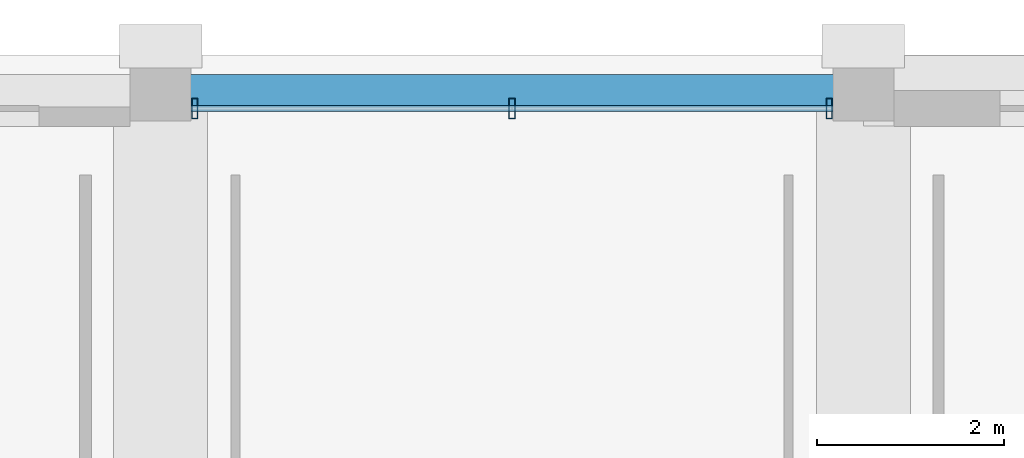
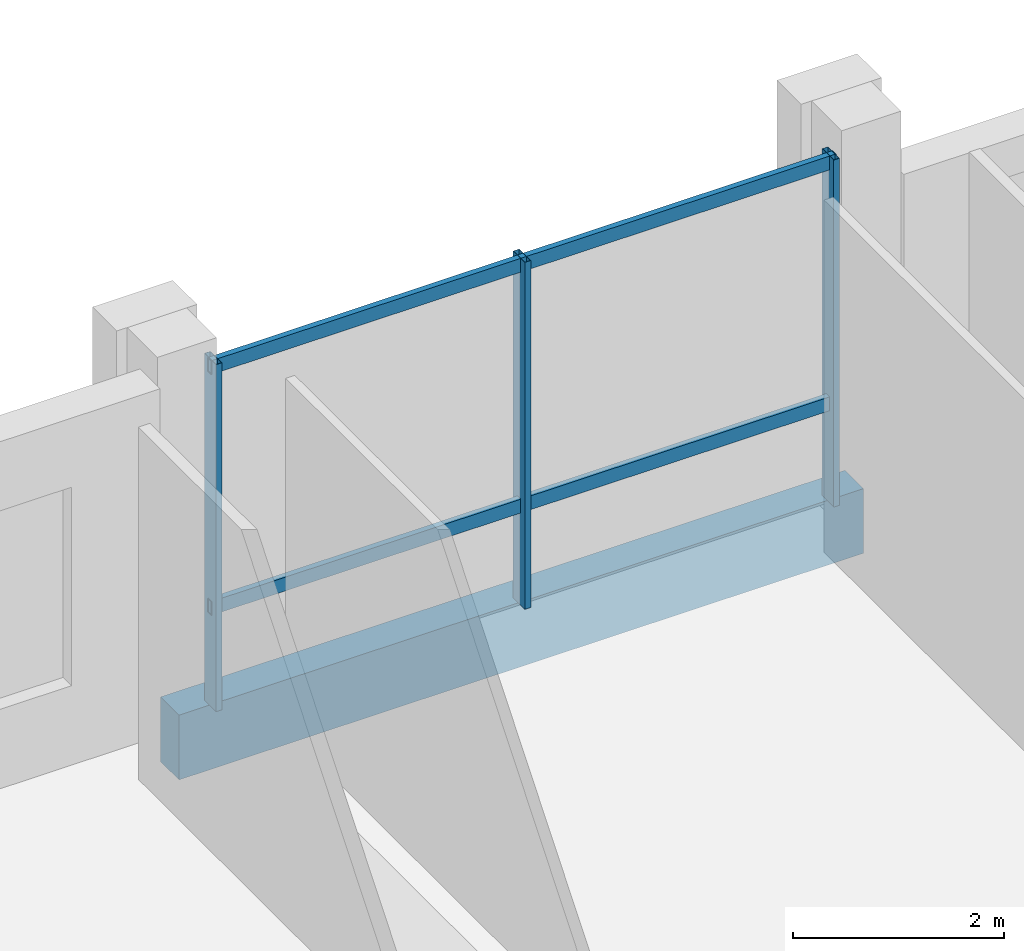
# One storey, part 28 of 64: 5 members, 1 beam, 1 element without a shape of its own.
"""IFC4 building model written with IfcOpenShell, lengths in metres."""

from ifc_helpers import new_model, si_unit, direction, frame, origin, origin_2d, place, context, subcontext, project, spatial, rectangle, hollow_rectangle, extrude, material, material_profile, profile_set, type_object, element, aggregate, save


model = new_model("IFC4")

# Units and contexts
model_context = context("Model", 3, precision=1e-05, world=origin(), true_north=direction((0.0, 1.0)))
body_context = subcontext(model_context, "Body", "Model", "MODEL_VIEW")
ifc_project = project(units=[si_unit("LENGTHUNIT", "METRE"), si_unit("AREAUNIT", "SQUARE_METRE"), si_unit("VOLUMEUNIT", "CUBIC_METRE"), si_unit("PLANEANGLEUNIT", "RADIAN"), si_unit("MASSUNIT", "GRAM", prefix="KILO")], contexts=[model_context])

# Site, building, storey
site_placement = place(None, origin())
site = spatial("IfcSite", under=ifc_project, at=site_placement, CompositionType="ELEMENT")
building_placement = place(site_placement, origin())
building = spatial("IfcBuilding", under=site, at=building_placement, Name="Akrevak Sports Hall", CompositionType="ELEMENT")
storey_placement = place(building_placement, frame((0.0, 0.0, 4.60009765625)))
storey = spatial("IfcBuildingStorey", under=building, at=storey_placement, Name="L01", CompositionType="ELEMENT", Elevation=4.60009765625)

# Curtain wall, members
ifc_material_1 = material(Name="Anodized Bronze Aluminium & Low-E Glass", Category="aluminium")
curtain_wall_type = type_object("IfcCurtainWallType", Name="ARC-CW-POD-70x42", PredefinedType="NOTDEFINED", material=ifc_material_1)
curtain_wall_placement = place(storey_placement, origin())
curtain_wall = element("IfcCurtainWall", 1, at=curtain_wall_placement, inside=storey, type_object=curtain_wall_type, Name="Curtain Wall CW-L01-N06", PredefinedType="NOTDEFINED")
ifc_material_2 = material(Name="Anodized Bronze Aluminium", Category="aluminium")
ifc_material_profile_1 = material_profile(ifc_material_2, hollow_rectangle(XDim=0.06494140625, YDim=0.219970703125, WallThickness=0.00439453125, at=origin_2d()), Name="CWM 65x220", Category="aluminium")
ifc_profile_set_1 = profile_set([ifc_material_profile_1], Name="Anodized Bronze Aluminium")
member_type_1 = type_object("IfcMemberType", Name="ARC-CWM-70x160", PredefinedType="MULLION", material=ifc_profile_set_1)
member_1_placement = place(storey_placement, frame((44.635009765625, 113.81005859375, 0.0), z_axis=(0.0, 0.0, 1.0), x_axis=(-1.0, 0.0, 0.0)))
member_1 = element("IfcMember", 2, at=member_1_placement, type_object=member_type_1, Name="Curtain Wall Mullion CW-L01-N06-M1", PredefinedType="MULLION", context=body_context, shape_type="SweptSolid", body=[
    extrude(hollow_rectangle(XDim=0.06494140625, YDim=0.219970703125, WallThickness=0.00439453125, at=origin_2d()), origin(), (0.0, 0.0, 1.0), 4.02001953125),
])
member_2_placement = place(storey_placement, frame((41.25, 113.81005859375, 0.0), z_axis=(0.0, 0.0, 1.0), x_axis=(-1.0, 0.0, 0.0)))
member_2 = element("IfcMember", 3, at=member_2_placement, type_object=member_type_1, Name="Curtain Wall Mullion CW-L01-N06-M2", PredefinedType="MULLION", context=body_context, shape_type="SweptSolid", body=[
    extrude(hollow_rectangle(XDim=0.06494140625, YDim=0.219970703125, WallThickness=0.00439453125, at=origin_2d()), origin(), (0.0, 0.0, 1.0), 4.02001953125),
])
member_3_placement = place(storey_placement, frame((37.864990234375, 113.81005859375, 0.0), z_axis=(0.0, 0.0, 1.0), x_axis=(-1.0, 0.0, 0.0)))
member_3 = element("IfcMember", 4, at=member_3_placement, type_object=member_type_1, Name="Curtain Wall Mullion CW-L01-N06-M3", PredefinedType="MULLION", context=body_context, shape_type="SweptSolid", body=[
    extrude(hollow_rectangle(XDim=0.06494140625, YDim=0.219970703125, WallThickness=0.00439453125, at=origin_2d()), origin(), (0.0, 0.0, 1.0), 4.02001953125),
])
ifc_material_profile_2 = material_profile(ifc_material_2, hollow_rectangle(XDim=0.06494140625, YDim=0.159912109375, WallThickness=0.00390625, at=origin_2d()), Name="CWT 65x160", Category="aluminium")
ifc_profile_set_2 = profile_set([ifc_material_profile_2], Name="Anodized Bronze Aluminium")
member_type_2 = type_object("IfcMemberType", Name="ARC-CWT-70x130", PredefinedType="USERDEFINED", material=ifc_profile_set_2)
member_4_placement = place(storey_placement, frame((44.675048828125, 113.81005859375, 1.14990234375), z_axis=(-1.0, 0.0, 0.0), x_axis=(0.0, -1.0, 0.0)))
member_4 = element("IfcMember", 5, at=member_4_placement, type_object=member_type_2, Name="Curtain Wall Transom CW-L01-N06-T1", ObjectType="TRANSOM", PredefinedType="USERDEFINED", context=body_context, shape_type="SweptSolid", body=[
    extrude(hollow_rectangle(XDim=0.06494140625, YDim=0.159912109375, WallThickness=0.00390625, at=origin_2d()), origin(), (0.0, 0.0, 1.0), 6.85009765625),
])
member_5_placement = place(storey_placement, frame((44.675048828125, 113.81005859375, 3.93994140625), z_axis=(-1.0, 0.0, 0.0), x_axis=(0.0, -1.0, 0.0)))
member_5 = element("IfcMember", 6, at=member_5_placement, type_object=member_type_2, Name="Curtain Wall Transom CW-L01-N06-T2", ObjectType="TRANSOM", PredefinedType="USERDEFINED", context=body_context, shape_type="SweptSolid", body=[
    extrude(hollow_rectangle(XDim=0.06494140625, YDim=0.159912109375, WallThickness=0.00390625, at=origin_2d()), origin(), (0.0, 0.0, 1.0), 6.85009765625),
])
aggregate(curtain_wall, [member_1, member_2, member_3, member_4, member_5])

# Beam
ifc_material_3 = material(Name="Concrete C40/50", Category="concrete")
ifc_material_profile_3 = material_profile(ifc_material_3, rectangle(XDim=0.35009765625, YDim=0.75, at=origin_2d()), Name="SPD 350x750", Category="concrete")
ifc_profile_set_3 = profile_set([ifc_material_profile_3], Name="Concrete C40/50")
beam_type = type_object("IfcBeamType", Name="STR-SPD-RC350x750", PredefinedType="SPANDREL", material=ifc_profile_set_3)
beam_placement = place(storey_placement, frame((37.5, 114.0, -0.375), z_axis=(1.0, 0.0, 0.0), x_axis=(0.0, 1.0, 0.0)))
element("IfcBeam", 7, at=beam_placement, inside=storey, type_object=beam_type, Name="Girder Q/6-7 (L01)", PredefinedType="SPANDREL", context=body_context, shape_type="SweptSolid", body=[
    extrude(rectangle(XDim=0.35009765625, YDim=0.75, at=origin_2d()), origin(), (0.0, 0.0, 1.0), 7.5),
])

save(model, "model.ifc")
